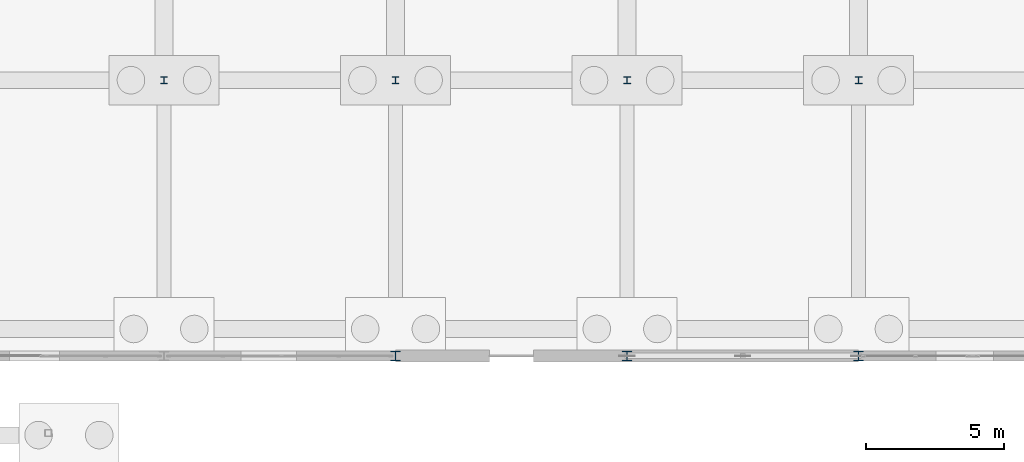
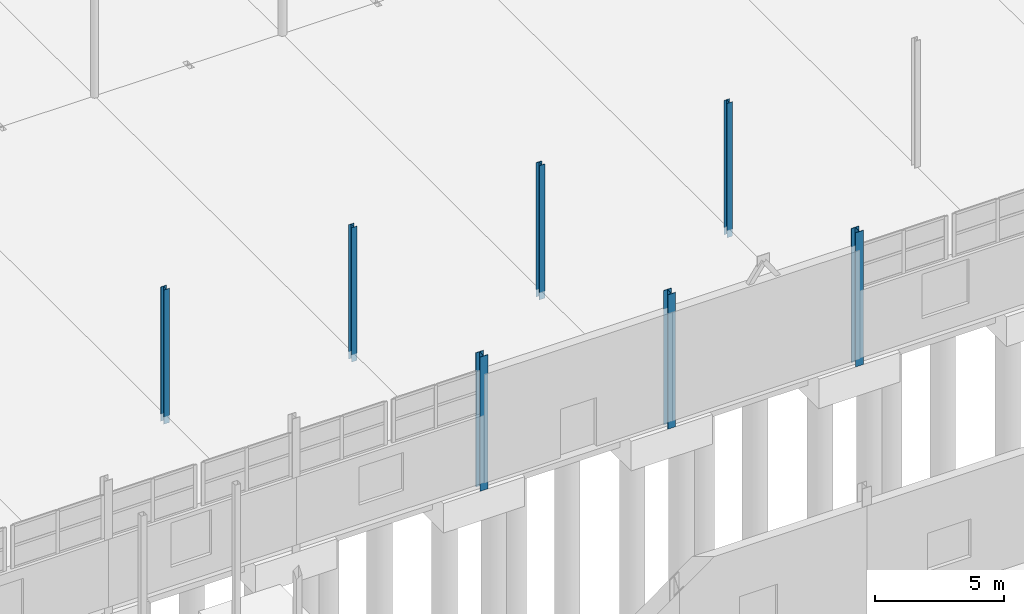
# One storey, part 28 of 139: 7 columns.
"""IFC4 building model written with IfcOpenShell, lengths in metres."""

from ifc_helpers import new_model, si_unit, direction, frame, origin, origin_2d, place, context, subcontext, project, spatial, i_section, extrude, material, material_profile, profile_set, type_object, element, save


model = new_model("IFC4")

# Units and contexts
model_context = context("Model", 3, precision=1e-05, world=origin(), true_north=direction((0.0, 1.0)))
body_context = subcontext(model_context, "Body", "Model", "MODEL_VIEW")
ifc_project = project(units=[si_unit("LENGTHUNIT", "METRE"), si_unit("AREAUNIT", "SQUARE_METRE"), si_unit("VOLUMEUNIT", "CUBIC_METRE"), si_unit("PLANEANGLEUNIT", "RADIAN"), si_unit("MASSUNIT", "GRAM", prefix="KILO")], contexts=[model_context])

# Site, building, storey
site_placement = place(None, origin())
site = spatial("IfcSite", under=ifc_project, at=site_placement, CompositionType="ELEMENT")
building_placement = place(site_placement, origin())
building = spatial("IfcBuilding", under=site, at=building_placement, Name="Kazenagashi Tramway Depot", CompositionType="ELEMENT")
storey_placement = place(building_placement, origin())
storey = spatial("IfcBuildingStorey", under=building, at=storey_placement, Name="L01", CompositionType="ELEMENT", Elevation=0.0)

# Columns
ifc_material = material(Name="Steel SN490B", Category="steel")
ifc_material_profile_1 = material_profile(ifc_material, i_section(OverallWidth=0.35, OverallDepth=0.35, WebThickness=0.012, FlangeThickness=0.019, at=origin_2d()), Name="H-350x350x12x19")
ifc_profile_set_1 = profile_set([ifc_material_profile_1], Name="Steel SN490B")
column_type_1 = type_object("IfcColumnType", Name="C-04", PredefinedType="COLUMN", material=ifc_profile_set_1)
for number, where, z_axis, x_axis, name in (
    (1, (103.6, 70.0, -0.35), (0.0, 0.0, 1.0), (1.0, 0.0, 0.0), "Column C-04 COL-0043"),
    (2, (112.0, 70.0, -0.35), (0.0, 0.0, 1.0), (1.0, 0.0, 0.0), "Column C-04 COL-0049"),
    (3, (120.4, 70.0, -0.35), (0.0, 0.0, 1.0), (1.0, 0.0, 0.0), "Column C-04 COL-0055"),
):
    element("IfcColumn", number, at=place(storey_placement, frame(where, z_axis=z_axis, x_axis=x_axis)), inside=storey, type_object=column_type_1, Name=name, PredefinedType="COLUMN", context=body_context, shape_type="SweptSolid", body=[
        extrude(i_section(OverallWidth=0.35, OverallDepth=0.35, WebThickness=0.012, FlangeThickness=0.019, at=origin_2d()), origin(), (0.0, 0.0, 1.0), 6.35),
    ])
ifc_material_profile_2 = material_profile(ifc_material, i_section(OverallWidth=0.25, OverallDepth=0.25, WebThickness=0.009, FlangeThickness=0.014, at=origin_2d()), Name="H-250x250x9x14")
ifc_profile_set_2 = profile_set([ifc_material_profile_2], Name="Steel SN490B")
column_type_2 = type_object("IfcColumnType", Name="C-06", PredefinedType="COLUMN", material=ifc_profile_set_2)
for number, where, z_axis, x_axis, name in (
    (4, (95.2, 80.0, -0.35), (0.0, 0.0, 1.0), (1.0, 0.0, 0.0), "Column C-06 COL-0121"),
    (5, (103.6, 80.0, -0.35), (0.0, 0.0, 1.0), (1.0, 0.0, 0.0), "Column C-06 COL-0122"),
    (6, (112.0, 80.0, -0.35), (0.0, 0.0, 1.0), (1.0, 0.0, 0.0), "Column C-06 COL-0123"),
    (7, (120.4, 80.0, -0.35), (0.0, 0.0, 1.0), (1.0, 0.0, 0.0), "Column C-06 COL-0124"),
):
    element("IfcColumn", number, at=place(storey_placement, frame(where, z_axis=z_axis, x_axis=x_axis)), inside=storey, type_object=column_type_2, Name=name, PredefinedType="COLUMN", context=body_context, shape_type="SweptSolid", body=[
        extrude(i_section(OverallWidth=0.25, OverallDepth=0.25, WebThickness=0.009, FlangeThickness=0.014, at=origin_2d()), origin(), (0.0, 0.0, 1.0), 6.35),
    ])

save(model, "model.ifc")
